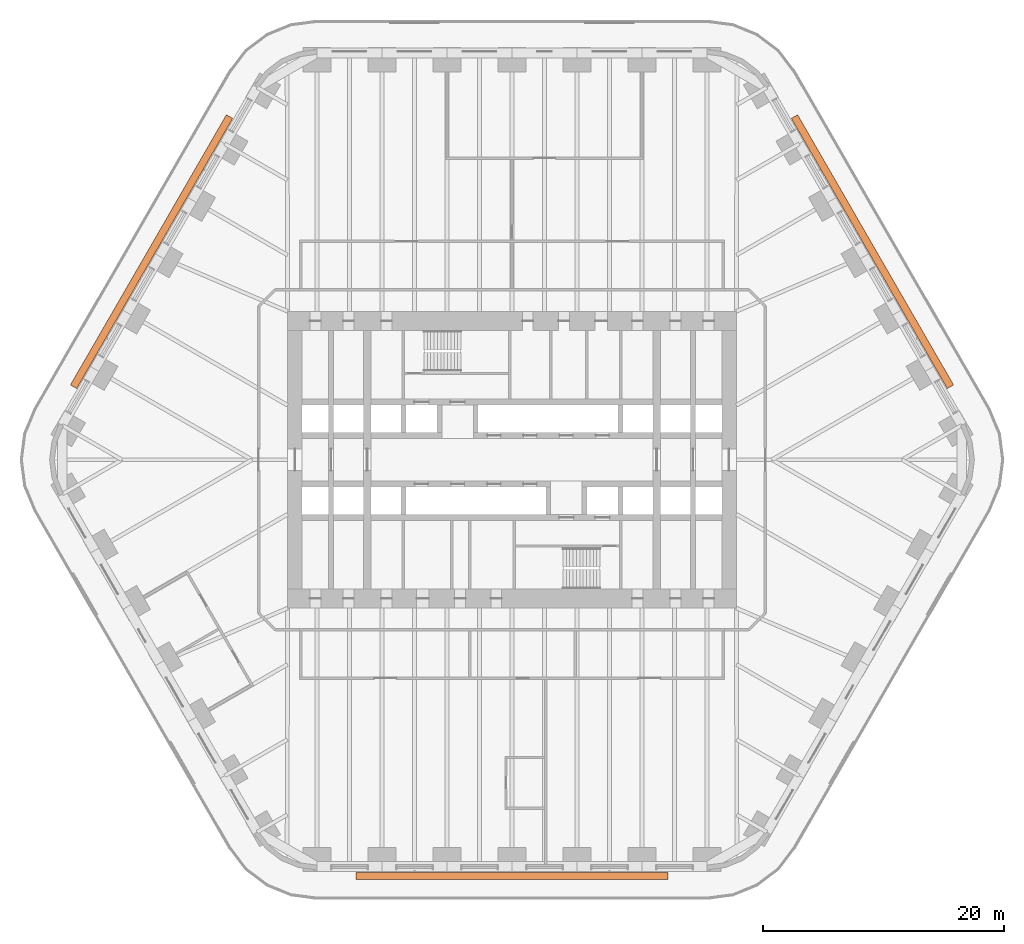
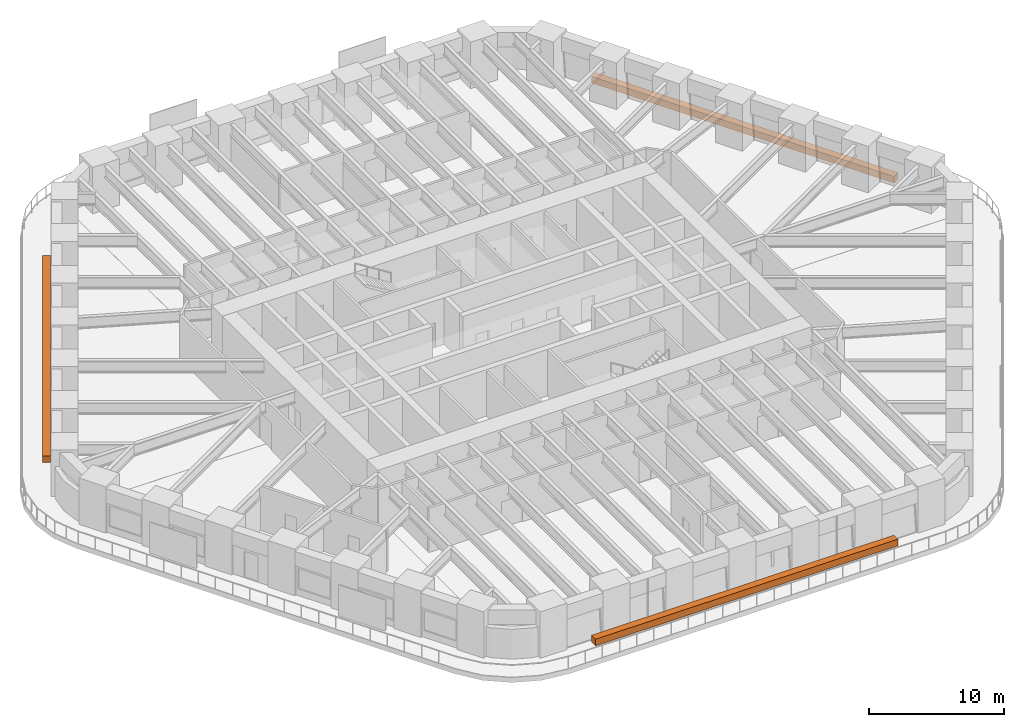
# One storey, part 23 of 23: 3 proxies.
"""IFC4 building model written with IfcOpenShell, lengths in metres."""

import ifcopenshell
import ifcopenshell.guid

model = None  # the IFC model being written
_history = None  # IfcOwnerHistory: only IFC2X3 demands one
_inside = {}  # id of a spatial element -> (the spatial element, [elements in it])
_under = {}  # id of a project, library or spatial element -> (it, [spatial elements below it])
_declared = {}  # id of a project -> (the project, [libraries it declares])
_typed = {}  # id of a type object -> (the type object, [elements of that type])
_made_of = {}  # id of a material, layer set ... -> (it, [elements and type objects made of it])


def new_model(schema):
    """Start an empty IFC model of exactly this schema.

    Asked for "IFC4X3", IfcOpenShell would pick the latest addendum, in which some entities
    have other attributes; the version numbers below select the first issue.
    IFC2X3 requires an IfcOwnerHistory on every rooted entity: one is made here for all.
    """
    global model, _history
    if schema == "IFC4X3":
        model = ifcopenshell.file(schema_version=(4, 3, 0, 0))
    else:
        model = ifcopenshell.file(schema=schema)
    _inside.clear()
    _under.clear()
    _declared.clear()
    _typed.clear()
    _made_of.clear()
    _history = None
    if model.schema == "IFC2X3":
        org = make("IfcOrganization", Name="unknown")
        user = make(
            "IfcPersonAndOrganization",
            ThePerson=make("IfcPerson", FamilyName="unknown"),
            TheOrganization=org,
        )
        app = make(
            "IfcApplication",
            ApplicationDeveloper=org,
            Version="unknown",
            ApplicationFullName="unknown",
            ApplicationIdentifier="unknown",
        )
        _history = make(
            "IfcOwnerHistory",
            OwningUser=user,
            OwningApplication=app,
            ChangeAction="ADDED",
            CreationDate=0,
        )
    return model


def make(cls, **values):
    """One entity of the class cls with the attributes given. An attribute that is None is left unset."""
    return model.create_entity(
        cls, **{name: value for name, value in values.items() if value is not None}
    )


def rooted(cls, **values):
    """An entity with a GlobalId (a new one), such as an element, a storey or a relation."""
    return make(cls, GlobalId=ifcopenshell.guid.new(), OwnerHistory=_history, **values)


def si_unit(unit_type, name, prefix=None):
    """IfcSIUnit, for example si_unit("LENGTHUNIT", "METRE", prefix="MILLI")."""
    return make("IfcSIUnit", UnitType=unit_type, Prefix=prefix, Name=name)


def assignment(units):
    """IfcUnitAssignment: the units of a project."""
    return None if units is None else make("IfcUnitAssignment", Units=units)


def point(xyz):
    """IfcCartesianPoint."""
    return None if xyz is None else make("IfcCartesianPoint", Coordinates=xyz)


def direction(xyz):
    """IfcDirection."""
    return None if xyz is None else make("IfcDirection", DirectionRatios=xyz)


def frame(location, z_axis=None, x_axis=None):
    """IfcAxis2Placement3D, a coordinate frame: its origin and axes. An axis left out is left unset."""
    return make(
        "IfcAxis2Placement3D",
        Location=point(location),
        Axis=direction(z_axis),
        RefDirection=direction(x_axis),
    )


def frame_2d(location, x_axis=None):
    """IfcAxis2Placement2D, a coordinate frame in the plane: its origin and x axis."""
    return make(
        "IfcAxis2Placement2D", Location=point(location), RefDirection=direction(x_axis)
    )


def origin():
    """The frame at (0, 0, 0) with its axes left unset."""
    return frame((0.0, 0.0, 0.0))


def origin_2d():
    """The frame at (0, 0) in the plane with its x axis left unset."""
    return frame_2d((0.0, 0.0))


def place(relative_to, where):
    """IfcLocalPlacement: puts the frame where relative to a parent placement (None: the world)."""
    return make(
        "IfcLocalPlacement", PlacementRelTo=relative_to, RelativePlacement=where
    )


def context(
    kind, dimensions, precision=None, world=None, true_north=None, identifier=None
):
    """IfcGeometricRepresentationContext, for example the 3D "Model" context."""
    return make(
        "IfcGeometricRepresentationContext",
        ContextIdentifier=identifier,
        ContextType=kind,
        CoordinateSpaceDimension=dimensions,
        Precision=precision,
        WorldCoordinateSystem=world,
        TrueNorth=true_north,
    )


def subcontext(parent, identifier, kind, view, scale=None):
    """IfcGeometricRepresentationSubContext, for example "Body" below "Model"."""
    return make(
        "IfcGeometricRepresentationSubContext",
        ContextIdentifier=identifier,
        ContextType=kind,
        ParentContext=parent,
        TargetScale=scale,
        TargetView=view,
    )


def project(units=None, contexts=None):
    """IfcProject with its units and contexts."""
    return rooted(
        "IfcProject",
        Name="project",
        RepresentationContexts=contexts,
        UnitsInContext=assignment(units),
    )


def spatial(cls, under=None, at=None, **own):
    """A site, building, storey or space (cls), placed at a placement, below another one or the project."""
    s = rooted(cls, ObjectPlacement=at, **own)
    if under is not None:
        _under.setdefault(under.id(), (under, []))[1].append(s)
    return s


def profile(cls, at=None, kind="AREA", **sizes):
    """A parametric profile (cls). Its sizes go by their IFC names, for example OverallWidth=200.0."""
    return make(cls, ProfileType=kind, Position=at, **sizes)


def rectangle(**sizes):
    """IfcRectangleProfileDef."""
    return profile("IfcRectangleProfileDef", **sizes)


def extrude(swept, where, along, depth):
    """IfcExtrudedAreaSolid: the profile swept, set in the frame where, extruded along a direction by depth."""
    return make(
        "IfcExtrudedAreaSolid",
        SweptArea=swept,
        Position=where,
        ExtrudedDirection=direction(along),
        Depth=depth,
    )


def shape(context_of_items, identifier, shape_type, items):
    """IfcShapeRepresentation: the items that make up one representation, for example the "Body"."""
    return make(
        "IfcShapeRepresentation",
        ContextOfItems=context_of_items,
        RepresentationIdentifier=identifier,
        RepresentationType=shape_type,
        Items=items,
    )


def material(Name=None, Category=None):
    """IfcMaterial."""
    return make("IfcMaterial", Name=Name, Category=Category)


def made_of(thing, what):
    """Note that an element or type object is made of a material, layer set ...; save() writes the relation."""
    if what is not None:
        _made_of.setdefault(what.id(), (what, []))[1].append(thing)
    return thing


def element(
    cls,
    number,
    at=None,
    inside=None,
    cuts=None,
    type_object=None,
    material=None,
    context=None,
    identifier="Body",
    shape_type=None,
    held_by="IfcProductDefinitionShape",
    body=None,
    shapes=None,
    **own,
):
    """One element of the class cls, such as IfcWall. Its Tag is "e" and its number.

    at: its placement. inside: the storey or other place that contains it. cuts: it is an
    opening in that element (IfcRelVoidsElement). A single representation is given by context,
    identifier, shape_type and body (its items); several are given by shapes. held_by: the class
    of the entity that holds the representations. save() writes the other relations.
    """
    e = rooted(cls, Tag="e%d" % number, ObjectPlacement=at, **own)
    if body is not None:
        shapes = [shape(context, identifier, shape_type, body)]
    if shapes is not None:
        e.Representation = make(held_by, Representations=shapes)
    if inside is not None:
        _inside.setdefault(inside.id(), (inside, []))[1].append(e)
    if cuts is not None:
        rooted(
            "IfcRelVoidsElement", RelatingBuildingElement=cuts, RelatedOpeningElement=e
        )
    if type_object is not None:
        _typed.setdefault(type_object.id(), (type_object, []))[1].append(e)
    return made_of(e, material)


def aggregate(whole, parts):
    """IfcRelAggregates: a whole, such as a stair, and the parts it consists of."""
    return rooted("IfcRelAggregates", RelatingObject=whole, RelatedObjects=parts)


def save(model, path):
    """Write the relations noted so far, then the file.

    IfcRelAggregates (storeys below a building ...), IfcRelContainedInSpatialStructure (elements
    in a storey), IfcRelDefinesByType, IfcRelAssociatesMaterial and IfcRelDeclares: one each for
    every whole, place, type object, material and project.
    """
    for whole, parts in _under.values():
        aggregate(whole, parts)
    for where, things in _inside.values():
        rooted(
            "IfcRelContainedInSpatialStructure",
            RelatedElements=things,
            RelatingStructure=where,
        )
    for kind, things in _typed.values():
        rooted("IfcRelDefinesByType", RelatedObjects=things, RelatingType=kind)
    for what, things in _made_of.values():
        rooted("IfcRelAssociatesMaterial", RelatedObjects=things, RelatingMaterial=what)
    for by, libraries in _declared.values():
        rooted("IfcRelDeclares", RelatingContext=by, RelatedDefinitions=libraries)
    model.write(path)


model = new_model("IFC4")

# Units and contexts
model_context = context("Model", 3, precision=1e-05, world=origin(), true_north=direction((0.0, 1.0)))
body_context = subcontext(model_context, "Body", "Model", "MODEL_VIEW")
ifc_project = project(units=[si_unit("LENGTHUNIT", "METRE"), si_unit("AREAUNIT", "SQUARE_METRE"), si_unit("VOLUMEUNIT", "CUBIC_METRE"), si_unit("PLANEANGLEUNIT", "RADIAN"), si_unit("MASSUNIT", "GRAM", prefix="KILO")], contexts=[model_context])

# Site, building, storey
site_placement = place(None, origin())
site = spatial("IfcSite", under=ifc_project, at=site_placement, CompositionType="ELEMENT")
building_placement = place(site_placement, origin())
building = spatial("IfcBuilding", under=site, at=building_placement, Name="Tarfa Lantern Tower", CompositionType="ELEMENT")
storey_placement = place(building_placement, frame((0.0, 0.0, 27.699951171875)))
storey = spatial("IfcBuildingStorey", under=building, at=storey_placement, Name="L05", CompositionType="ELEMENT", Elevation=27.699951171875)

# Proxies
ifc_material = material(Name="Planting bed")
for number, where, z_axis, x_axis, name in (
    (1, (29.8779296875, 17.25, 0.0), (0.0, 0.0, 1.0), (-0.5, 0.866025403784, 0.0), "Balcony planter"),
    (2, (-29.8779296875, 17.25, 0.0), (0.0, 0.0, 1.0), (-0.5, -0.866025403784, 0.0), "Balcony planter"),
    (3, (0.0, -34.5, 0.0), (0.0, 0.0, 1.0), (1.0, 0.0, 0.0), "Balcony planter"),
):
    element("IfcBuildingElementProxy", number, at=place(storey_placement, frame(where, z_axis=z_axis, x_axis=x_axis)), inside=storey, material=ifc_material, Name=name, ObjectType="PLANTER", PredefinedType="USERDEFINED", context=body_context, shape_type="SweptSolid", body=[
        extrude(rectangle(XDim=25.865234375, YDim=0.60009765625, at=origin_2d()), origin(), (0.0, 0.0, 1.0), 0.60009765625),
    ])

save(model, "model.ifc")
